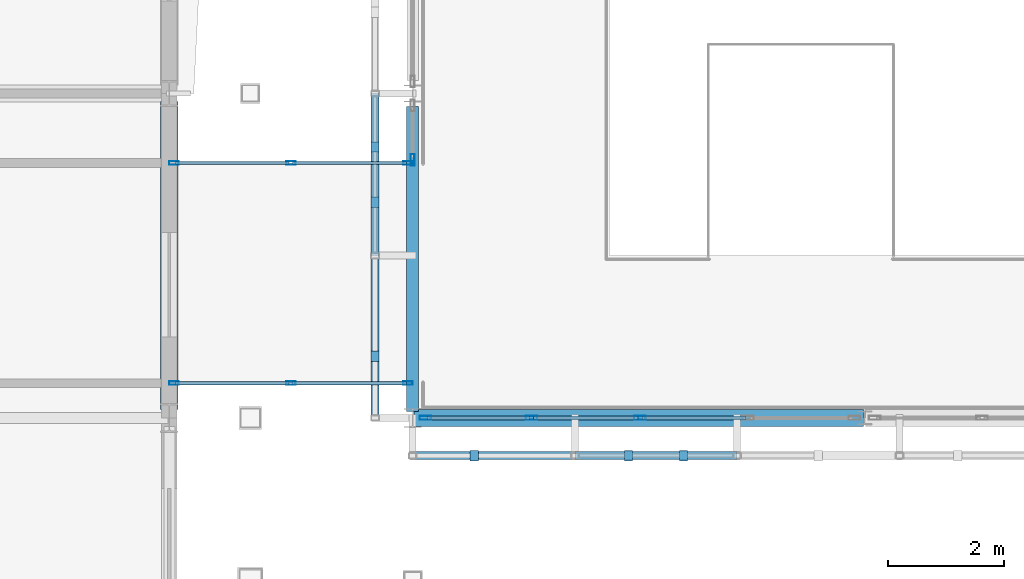
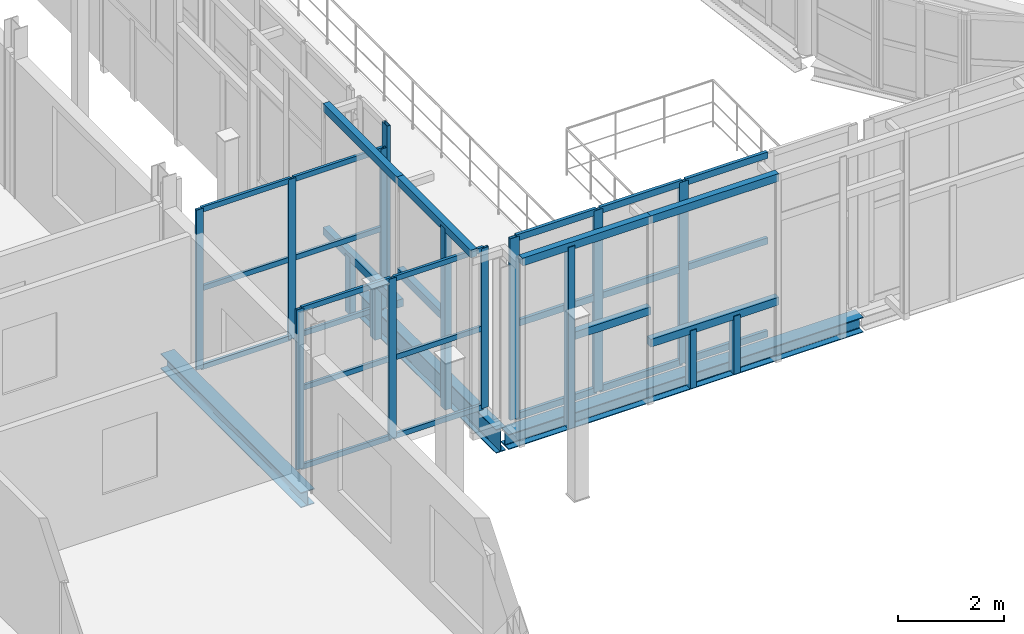
# One storey, part 20 of 78: 45 members, 3 beams, 4 elements without a shape of their own.
"""IFC4 building model written with IfcOpenShell, lengths in metres."""

import ifcopenshell
import ifcopenshell.guid

model = None  # the IFC model being written
_history = None  # IfcOwnerHistory: only IFC2X3 demands one
_inside = {}  # id of a spatial element -> (the spatial element, [elements in it])
_under = {}  # id of a project, library or spatial element -> (it, [spatial elements below it])
_declared = {}  # id of a project -> (the project, [libraries it declares])
_typed = {}  # id of a type object -> (the type object, [elements of that type])
_made_of = {}  # id of a material, layer set ... -> (it, [elements and type objects made of it])


def new_model(schema):
    """Start an empty IFC model of exactly this schema.

    Asked for "IFC4X3", IfcOpenShell would pick the latest addendum, in which some entities
    have other attributes; the version numbers below select the first issue.
    IFC2X3 requires an IfcOwnerHistory on every rooted entity: one is made here for all.
    """
    global model, _history
    if schema == "IFC4X3":
        model = ifcopenshell.file(schema_version=(4, 3, 0, 0))
    else:
        model = ifcopenshell.file(schema=schema)
    _inside.clear()
    _under.clear()
    _declared.clear()
    _typed.clear()
    _made_of.clear()
    _history = None
    if model.schema == "IFC2X3":
        org = make("IfcOrganization", Name="unknown")
        user = make(
            "IfcPersonAndOrganization",
            ThePerson=make("IfcPerson", FamilyName="unknown"),
            TheOrganization=org,
        )
        app = make(
            "IfcApplication",
            ApplicationDeveloper=org,
            Version="unknown",
            ApplicationFullName="unknown",
            ApplicationIdentifier="unknown",
        )
        _history = make(
            "IfcOwnerHistory",
            OwningUser=user,
            OwningApplication=app,
            ChangeAction="ADDED",
            CreationDate=0,
        )
    return model


def make(cls, **values):
    """One entity of the class cls with the attributes given. An attribute that is None is left unset."""
    return model.create_entity(
        cls, **{name: value for name, value in values.items() if value is not None}
    )


def rooted(cls, **values):
    """An entity with a GlobalId (a new one), such as an element, a storey or a relation."""
    return make(cls, GlobalId=ifcopenshell.guid.new(), OwnerHistory=_history, **values)


def si_unit(unit_type, name, prefix=None):
    """IfcSIUnit, for example si_unit("LENGTHUNIT", "METRE", prefix="MILLI")."""
    return make("IfcSIUnit", UnitType=unit_type, Prefix=prefix, Name=name)


def assignment(units):
    """IfcUnitAssignment: the units of a project."""
    return None if units is None else make("IfcUnitAssignment", Units=units)


def point(xyz):
    """IfcCartesianPoint."""
    return None if xyz is None else make("IfcCartesianPoint", Coordinates=xyz)


def direction(xyz):
    """IfcDirection."""
    return None if xyz is None else make("IfcDirection", DirectionRatios=xyz)


def frame(location, z_axis=None, x_axis=None):
    """IfcAxis2Placement3D, a coordinate frame: its origin and axes. An axis left out is left unset."""
    return make(
        "IfcAxis2Placement3D",
        Location=point(location),
        Axis=direction(z_axis),
        RefDirection=direction(x_axis),
    )


def frame_2d(location, x_axis=None):
    """IfcAxis2Placement2D, a coordinate frame in the plane: its origin and x axis."""
    return make(
        "IfcAxis2Placement2D", Location=point(location), RefDirection=direction(x_axis)
    )


def origin():
    """The frame at (0, 0, 0) with its axes left unset."""
    return frame((0.0, 0.0, 0.0))


def origin_2d():
    """The frame at (0, 0) in the plane with its x axis left unset."""
    return frame_2d((0.0, 0.0))


def place(relative_to, where):
    """IfcLocalPlacement: puts the frame where relative to a parent placement (None: the world)."""
    return make(
        "IfcLocalPlacement", PlacementRelTo=relative_to, RelativePlacement=where
    )


def context(
    kind, dimensions, precision=None, world=None, true_north=None, identifier=None
):
    """IfcGeometricRepresentationContext, for example the 3D "Model" context."""
    return make(
        "IfcGeometricRepresentationContext",
        ContextIdentifier=identifier,
        ContextType=kind,
        CoordinateSpaceDimension=dimensions,
        Precision=precision,
        WorldCoordinateSystem=world,
        TrueNorth=true_north,
    )


def subcontext(parent, identifier, kind, view, scale=None):
    """IfcGeometricRepresentationSubContext, for example "Body" below "Model"."""
    return make(
        "IfcGeometricRepresentationSubContext",
        ContextIdentifier=identifier,
        ContextType=kind,
        ParentContext=parent,
        TargetScale=scale,
        TargetView=view,
    )


def project(units=None, contexts=None):
    """IfcProject with its units and contexts."""
    return rooted(
        "IfcProject",
        Name="project",
        RepresentationContexts=contexts,
        UnitsInContext=assignment(units),
    )


def spatial(cls, under=None, at=None, **own):
    """A site, building, storey or space (cls), placed at a placement, below another one or the project."""
    s = rooted(cls, ObjectPlacement=at, **own)
    if under is not None:
        _under.setdefault(under.id(), (under, []))[1].append(s)
    return s


def profile(cls, at=None, kind="AREA", **sizes):
    """A parametric profile (cls). Its sizes go by their IFC names, for example OverallWidth=200.0."""
    return make(cls, ProfileType=kind, Position=at, **sizes)


def rectangle(**sizes):
    """IfcRectangleProfileDef."""
    return profile("IfcRectangleProfileDef", **sizes)


def hollow_rectangle(**sizes):
    """IfcRectangleHollowProfileDef."""
    return profile("IfcRectangleHollowProfileDef", **sizes)


def i_section(**sizes):
    """IfcIShapeProfileDef."""
    return profile("IfcIShapeProfileDef", **sizes)


def extrude(swept, where, along, depth):
    """IfcExtrudedAreaSolid: the profile swept, set in the frame where, extruded along a direction by depth."""
    return make(
        "IfcExtrudedAreaSolid",
        SweptArea=swept,
        Position=where,
        ExtrudedDirection=direction(along),
        Depth=depth,
    )


def shape(context_of_items, identifier, shape_type, items):
    """IfcShapeRepresentation: the items that make up one representation, for example the "Body"."""
    return make(
        "IfcShapeRepresentation",
        ContextOfItems=context_of_items,
        RepresentationIdentifier=identifier,
        RepresentationType=shape_type,
        Items=items,
    )


def material(Name=None, Category=None):
    """IfcMaterial."""
    return make("IfcMaterial", Name=Name, Category=Category)


def layer(
    of_material, thickness, ventilated=None, Name=None, Category=None, Priority=None
):
    """IfcMaterialLayer: one layer of a wall or slab, of a material (None: an air gap)."""
    return make(
        "IfcMaterialLayer",
        Material=of_material,
        LayerThickness=thickness,
        IsVentilated=ventilated,
        Name=Name,
        Category=Category,
        Priority=Priority,
    )


def layer_set(layers, Name=None):
    """IfcMaterialLayerSet."""
    return make("IfcMaterialLayerSet", MaterialLayers=layers, LayerSetName=Name)


def material_profile(
    of_material, cross_section, Name=None, Category=None, Priority=None
):
    """IfcMaterialProfile: a cross section and its material."""
    return make(
        "IfcMaterialProfile",
        Name=Name,
        Material=of_material,
        Profile=cross_section,
        Priority=Priority,
        Category=Category,
    )


def profile_set(profiles, Name=None, composite=None):
    """IfcMaterialProfileSet."""
    return make(
        "IfcMaterialProfileSet",
        Name=Name,
        MaterialProfiles=profiles,
        CompositeProfile=composite,
    )


def made_of(thing, what):
    """Note that an element or type object is made of a material, layer set ...; save() writes the relation."""
    if what is not None:
        _made_of.setdefault(what.id(), (what, []))[1].append(thing)
    return thing


def type_object(cls, material=None, **own):
    """A type object (cls), such as IfcWallType, which elements share."""
    return made_of(rooted(cls, **own), material)


def element(
    cls,
    number,
    at=None,
    inside=None,
    cuts=None,
    type_object=None,
    material=None,
    context=None,
    identifier="Body",
    shape_type=None,
    held_by="IfcProductDefinitionShape",
    body=None,
    shapes=None,
    **own,
):
    """One element of the class cls, such as IfcWall. Its Tag is "e" and its number.

    at: its placement. inside: the storey or other place that contains it. cuts: it is an
    opening in that element (IfcRelVoidsElement). A single representation is given by context,
    identifier, shape_type and body (its items); several are given by shapes. held_by: the class
    of the entity that holds the representations. save() writes the other relations.
    """
    e = rooted(cls, Tag="e%d" % number, ObjectPlacement=at, **own)
    if body is not None:
        shapes = [shape(context, identifier, shape_type, body)]
    if shapes is not None:
        e.Representation = make(held_by, Representations=shapes)
    if inside is not None:
        _inside.setdefault(inside.id(), (inside, []))[1].append(e)
    if cuts is not None:
        rooted(
            "IfcRelVoidsElement", RelatingBuildingElement=cuts, RelatedOpeningElement=e
        )
    if type_object is not None:
        _typed.setdefault(type_object.id(), (type_object, []))[1].append(e)
    return made_of(e, material)


def aggregate(whole, parts):
    """IfcRelAggregates: a whole, such as a stair, and the parts it consists of."""
    return rooted("IfcRelAggregates", RelatingObject=whole, RelatedObjects=parts)


def save(model, path):
    """Write the relations noted so far, then the file.

    IfcRelAggregates (storeys below a building ...), IfcRelContainedInSpatialStructure (elements
    in a storey), IfcRelDefinesByType, IfcRelAssociatesMaterial and IfcRelDeclares: one each for
    every whole, place, type object, material and project.
    """
    for whole, parts in _under.values():
        aggregate(whole, parts)
    for where, things in _inside.values():
        rooted(
            "IfcRelContainedInSpatialStructure",
            RelatedElements=things,
            RelatingStructure=where,
        )
    for kind, things in _typed.values():
        rooted("IfcRelDefinesByType", RelatedObjects=things, RelatingType=kind)
    for what, things in _made_of.values():
        rooted("IfcRelAssociatesMaterial", RelatedObjects=things, RelatingMaterial=what)
    for by, libraries in _declared.values():
        rooted("IfcRelDeclares", RelatingContext=by, RelatedDefinitions=libraries)
    model.write(path)


model = new_model("IFC4")

# Units and contexts
model_context = context("Model", 3, precision=1e-05, world=origin(), true_north=direction((0.0, 1.0)))
body_context = subcontext(model_context, "Body", "Model", "MODEL_VIEW")
ifc_project = project(units=[si_unit("LENGTHUNIT", "METRE"), si_unit("AREAUNIT", "SQUARE_METRE"), si_unit("VOLUMEUNIT", "CUBIC_METRE"), si_unit("PLANEANGLEUNIT", "RADIAN"), si_unit("MASSUNIT", "GRAM", prefix="KILO")], contexts=[model_context])

# Site, building, storey
site_placement = place(None, origin())
site = spatial("IfcSite", under=ifc_project, at=site_placement, CompositionType="ELEMENT")
building_placement = place(site_placement, origin())
building = spatial("IfcBuilding", under=site, at=building_placement, Name="Vinh Khe Railworks Police Headquarters", CompositionType="ELEMENT")
storey_placement = place(building_placement, frame((0.0, 0.0, 13.199951171875)))
storey = spatial("IfcBuildingStorey", under=building, at=storey_placement, Name="L03", CompositionType="ELEMENT", Elevation=13.199951171875)

# Members
ifc_material_1 = material(Name="Salvaged ironwood timber", Category="wood")
ifc_material_profile_1 = material_profile(ifc_material_1, rectangle(XDim=0.139892578125, YDim=0.179931640625, at=origin_2d()), Name="TIMBER 140x180")
ifc_profile_set_1 = profile_set([ifc_material_profile_1], Name="Salvaged ironwood timber")
member_type_1 = type_object("IfcMemberType", Name="MEM-QUILT-STILE", PredefinedType="CHORD", material=ifc_profile_set_1)
member_1_placement = place(storey_placement, frame((26.39990234375, 24.550048828125, 4.1201171875), z_axis=(1.0, 0.0, 0.0), x_axis=(0.0, 1.0, 0.0)))
element("IfcMember", 1, at=member_1_placement, inside=storey, type_object=member_type_1, Name="Salvaged Timber Quilt Transom S-L03-00-TOP", PredefinedType="CHORD", context=body_context, shape_type="SweptSolid", body=[
    extrude(rectangle(XDim=0.139892578125, YDim=0.179931640625, at=origin_2d()), origin(), (0.0, 0.0, 1.0), 2.800048828125),
])
member_2_placement = place(storey_placement, frame((27.464111328125, 24.550048828125, -0.079833984375), z_axis=(0.0, 0.0, 1.0), x_axis=(1.0, 0.0, 0.0)))
element("IfcMember", 2, at=member_2_placement, inside=storey, type_object=member_type_1, Name="Salvaged Timber Quilt Stile S-L03-00-V1", PredefinedType="POST", context=body_context, shape_type="SweptSolid", body=[
    extrude(rectangle(XDim=0.139892578125, YDim=0.179931640625, at=origin_2d()), origin(), (0.0, 0.0, 1.0), 4.199951171875),
])
member_3_placement = place(storey_placement, frame((27.464111328125, 24.550048828125, 2.01611328125), z_axis=(1.0, 0.0, 0.0), x_axis=(0.0, 1.0, 0.0)))
element("IfcMember", 3, at=member_3_placement, inside=storey, type_object=member_type_1, Name="Salvaged Timber Quilt Transom S-L03-00-M1", PredefinedType="CHORD", context=body_context, shape_type="SweptSolid", body=[
    extrude(rectangle(XDim=0.139892578125, YDim=0.179931640625, at=origin_2d()), origin(), (0.0, 0.0, 1.0), 1.73583984375),
])
for number, where, z_axis, x_axis, name in (
    (4, (29.199951171875, 24.550048828125, 4.1201171875), (1.0, 0.0, 0.0), (0.0, 1.0, 0.0), "Salvaged Timber Quilt Transom S-L03-01-TOP"),
    (5, (29.199951171875, 24.550048828125, 1.260009765625), (1.0, 0.0, 0.0), (0.0, 1.0, 0.0), "Salvaged Timber Quilt Transom S-L03-01-M1"),
):
    element("IfcMember", number, at=place(storey_placement, frame(where, z_axis=z_axis, x_axis=x_axis)), inside=storey, type_object=member_type_1, Name=name, PredefinedType="CHORD", context=body_context, shape_type="SweptSolid", body=[
        extrude(rectangle(XDim=0.139892578125, YDim=0.179931640625, at=origin_2d()), origin(), (0.0, 0.0, 1.0), 2.800048828125),
    ])
for number, where, z_axis, x_axis, name in (
    (6, (30.1240234375, 24.550048828125, -0.079833984375), (0.0, 0.0, 1.0), (1.0, 0.0, 0.0), "Salvaged Timber Quilt Stile S-L03-01-V1"),
    (7, (31.075927734375, 24.550048828125, -0.079833984375), (0.0, 0.0, 1.0), (1.0, 0.0, 0.0), "Salvaged Timber Quilt Stile S-L03-01-V2"),
):
    element("IfcMember", number, at=place(storey_placement, frame(where, z_axis=z_axis, x_axis=x_axis)), inside=storey, type_object=member_type_1, Name=name, PredefinedType="POST", context=body_context, shape_type="SweptSolid", body=[
        extrude(rectangle(XDim=0.139892578125, YDim=0.179931640625, at=origin_2d()), origin(), (0.0, 0.0, 1.0), 1.33984375),
    ])
member_4_placement = place(storey_placement, frame((25.75, 25.199951171875, 4.1201171875), z_axis=(0.0, 1.0, 0.0), x_axis=(-1.0, 0.0, 0.0)))
element("IfcMember", 8, at=member_4_placement, inside=storey, type_object=member_type_1, Name="Salvaged Timber Quilt Transom W-L03-00-TOP", PredefinedType="CHORD", context=body_context, shape_type="SweptSolid", body=[
    extrude(rectangle(XDim=0.139892578125, YDim=0.179931640625, at=origin_2d()), origin(), (0.0, 0.0, 1.0), 2.800048828125),
])
member_5_placement = place(storey_placement, frame((25.75, 26.263916015625, -0.079833984375), z_axis=(0.0, 0.0, 1.0), x_axis=(1.0, 0.0, 0.0)))
element("IfcMember", 9, at=member_5_placement, inside=storey, type_object=member_type_1, Name="Salvaged Timber Quilt Stile W-L03-00-V1", PredefinedType="POST", context=body_context, shape_type="SweptSolid", body=[
    extrude(rectangle(XDim=0.139892578125, YDim=0.179931640625, at=origin_2d()), origin(), (0.0, 0.0, 1.0), 4.199951171875),
])
member_6_placement = place(storey_placement, frame((25.75, 26.263916015625, 2.01611328125), z_axis=(0.0, 1.0, 0.0), x_axis=(-1.0, 0.0, 0.0)))
element("IfcMember", 10, at=member_6_placement, inside=storey, type_object=member_type_1, Name="Salvaged Timber Quilt Transom W-L03-00-M1", PredefinedType="CHORD", context=body_context, shape_type="SweptSolid", body=[
    extrude(rectangle(XDim=0.139892578125, YDim=0.179931640625, at=origin_2d()), origin(), (0.0, 0.0, 1.0), 1.736083984375),
])
for number, where, z_axis, x_axis, name in (
    (11, (25.75, 28.0, 4.1201171875), (0.0, 1.0, 0.0), (-1.0, 0.0, 0.0), "Salvaged Timber Quilt Transom W-L03-01-TOP"),
    (12, (25.75, 28.0, 1.260009765625), (0.0, 1.0, 0.0), (-1.0, 0.0, 0.0), "Salvaged Timber Quilt Transom W-L03-01-M1"),
):
    element("IfcMember", number, at=place(storey_placement, frame(where, z_axis=z_axis, x_axis=x_axis)), inside=storey, type_object=member_type_1, Name=name, PredefinedType="CHORD", context=body_context, shape_type="SweptSolid", body=[
        extrude(rectangle(XDim=0.139892578125, YDim=0.179931640625, at=origin_2d()), origin(), (0.0, 0.0, 1.0), 2.800048828125),
    ])
for number, where, z_axis, x_axis, name in (
    (13, (25.75, 28.924072265625, -0.079833984375), (0.0, 0.0, 1.0), (1.0, 0.0, 0.0), "Salvaged Timber Quilt Stile W-L03-01-V1"),
    (14, (25.75, 29.8759765625, -0.079833984375), (0.0, 0.0, 1.0), (1.0, 0.0, 0.0), "Salvaged Timber Quilt Stile W-L03-01-V2"),
):
    element("IfcMember", number, at=place(storey_placement, frame(where, z_axis=z_axis, x_axis=x_axis)), inside=storey, type_object=member_type_1, Name=name, PredefinedType="POST", context=body_context, shape_type="SweptSolid", body=[
        extrude(rectangle(XDim=0.139892578125, YDim=0.179931640625, at=origin_2d()), origin(), (0.0, 0.0, 1.0), 1.33984375),
    ])

# Curtain wall, members
ifc_material_2 = material(Name="Anodised aluminium and solar-control glass", Category="aluminium")
ifc_layer_1 = layer(ifc_material_2, 0.159912109375)
ifc_layer_set_1 = layer_set([ifc_layer_1], Name="Anodised aluminium and solar-control glass")
curtain_wall_type_1 = type_object("IfcCurtainWallType", Name="CW-SHOPFRONT", PredefinedType="USERDEFINED", material=ifc_layer_set_1)
curtain_wall_1_placement = place(storey_placement, origin())
curtain_wall_1 = element("IfcCurtainWall", 15, at=curtain_wall_1_placement, inside=storey, type_object=curtain_wall_type_1, Name="Atrium Stair Link Glazing L03-S", ObjectType="UNITISED GLAZING", PredefinedType="USERDEFINED")
ifc_material_3 = material(Name="Anodised aluminium 6063-T6", Category="aluminium")
ifc_material_profile_2 = material_profile(ifc_material_3, hollow_rectangle(XDim=0.06005859375, YDim=0.159912109375, WallThickness=0.00390625, at=origin_2d()), Name="CW-M 60x160x4")
ifc_profile_set_2 = profile_set([ifc_material_profile_2], Name="Anodised aluminium 6063-T6")
member_type_2 = type_object("IfcMemberType", Name="MULL-CWM-01", PredefinedType="MULLION", material=ifc_profile_set_2)
member_7_placement = place(storey_placement, frame((22.280029296875, 25.800048828125, 0.0), z_axis=(0.0, 0.0, 1.0), x_axis=(0.0, 1.0, 0.0)))
member_7 = element("IfcMember", 16, at=member_7_placement, type_object=member_type_2, Name="CW-03 mullion 1", PredefinedType="MULLION", context=body_context, shape_type="SweptSolid", body=[
    extrude(hollow_rectangle(XDim=0.06005859375, YDim=0.159912109375, WallThickness=0.00390625, at=origin_2d()), origin(), (0.0, 0.0, 1.0), 3.699951171875),
])
member_8_placement = place(storey_placement, frame((24.300048828125, 25.800048828125, 0.0), z_axis=(0.0, 0.0, 1.0), x_axis=(0.0, 1.0, 0.0)))
member_8 = element("IfcMember", 17, at=member_8_placement, type_object=member_type_2, Name="CW-03 mullion 2", PredefinedType="MULLION", context=body_context, shape_type="SweptSolid", body=[
    extrude(hollow_rectangle(XDim=0.06005859375, YDim=0.159912109375, WallThickness=0.00390625, at=origin_2d()), origin(), (0.0, 0.0, 1.0), 3.699951171875),
])
member_9_placement = place(storey_placement, frame((26.320068359375, 25.800048828125, 0.0), z_axis=(0.0, 0.0, 1.0), x_axis=(0.0, 1.0, 0.0)))
member_9 = element("IfcMember", 18, at=member_9_placement, type_object=member_type_2, Name="CW-03 mullion 3", PredefinedType="MULLION", context=body_context, shape_type="SweptSolid", body=[
    extrude(hollow_rectangle(XDim=0.06005859375, YDim=0.159912109375, WallThickness=0.00390625, at=origin_2d()), origin(), (0.0, 0.0, 1.0), 3.699951171875),
])

curtain_wall_2_placement = place(storey_placement, origin())
curtain_wall_2 = element("IfcCurtainWall", 19, at=curtain_wall_2_placement, inside=storey, type_object=curtain_wall_type_1, Name="Atrium Stair Link Glazing L03-N", ObjectType="UNITISED GLAZING", PredefinedType="USERDEFINED")
member_10_placement = place(storey_placement, frame((22.280029296875, 29.60009765625, 0.0), z_axis=(0.0, 0.0, 1.0), x_axis=(0.0, 1.0, 0.0)))
member_10 = element("IfcMember", 20, at=member_10_placement, type_object=member_type_2, Name="CW-03 mullion 1", PredefinedType="MULLION", context=body_context, shape_type="SweptSolid", body=[
    extrude(hollow_rectangle(XDim=0.06005859375, YDim=0.159912109375, WallThickness=0.00390625, at=origin_2d()), origin(), (0.0, 0.0, 1.0), 3.699951171875),
])
member_11_placement = place(storey_placement, frame((24.300048828125, 29.60009765625, 0.0), z_axis=(0.0, 0.0, 1.0), x_axis=(0.0, 1.0, 0.0)))
member_11 = element("IfcMember", 21, at=member_11_placement, type_object=member_type_2, Name="CW-03 mullion 2", PredefinedType="MULLION", context=body_context, shape_type="SweptSolid", body=[
    extrude(hollow_rectangle(XDim=0.06005859375, YDim=0.159912109375, WallThickness=0.00390625, at=origin_2d()), origin(), (0.0, 0.0, 1.0), 3.699951171875),
])
member_12_placement = place(storey_placement, frame((26.320068359375, 29.60009765625, 0.0), z_axis=(0.0, 0.0, 1.0), x_axis=(0.0, 1.0, 0.0)))
member_12 = element("IfcMember", 22, at=member_12_placement, type_object=member_type_2, Name="CW-03 mullion 3", PredefinedType="MULLION", context=body_context, shape_type="SweptSolid", body=[
    extrude(hollow_rectangle(XDim=0.06005859375, YDim=0.159912109375, WallThickness=0.00390625, at=origin_2d()), origin(), (0.0, 0.0, 1.0), 3.699951171875),
])

ifc_material_4 = material(Name="Anodised aluminium and low-iron glass", Category="aluminium")
ifc_layer_2 = layer(ifc_material_4, 0.179931640625)
ifc_layer_set_2 = layer_set([ifc_layer_2], Name="Anodised aluminium and low-iron glass")
curtain_wall_type_2 = type_object("IfcCurtainWallType", Name="CW-CUBE-UNIT", PredefinedType="USERDEFINED", material=ifc_layer_set_2)
curtain_wall_3_placement = place(storey_placement, origin())
curtain_wall_3 = element("IfcCurtainWall", 23, at=curtain_wall_3_placement, inside=storey, type_object=curtain_wall_type_2, Name="Entrance Hall Curtain Wall L03 S-1", ObjectType="UNITISED GLAZING", PredefinedType="USERDEFINED")
ifc_material_profile_3 = material_profile(ifc_material_3, hollow_rectangle(XDim=0.070068359375, YDim=0.199951171875, WallThickness=0.0048828125, at=origin_2d()), Name="CW-M 70x200x5")
ifc_profile_set_3 = profile_set([ifc_material_profile_3], Name="Anodised aluminium 6063-T6")
member_type_3 = type_object("IfcMemberType", Name="MULL-CWM-03", PredefinedType="MULLION", material=ifc_profile_set_3)
member_13_placement = place(storey_placement, frame((26.6201171875, 25.199951171875, 0.0), z_axis=(0.0, 0.0, 1.0), x_axis=(0.0, 1.0, 0.0)))
member_13 = element("IfcMember", 24, at=member_13_placement, type_object=member_type_3, Name="CW-01 mullion 1", PredefinedType="MULLION", context=body_context, shape_type="SweptSolid", body=[
    extrude(hollow_rectangle(XDim=0.070068359375, YDim=0.199951171875, WallThickness=0.0048828125, at=origin_2d()), origin(), (0.0, 0.0, 1.0), 4.199951171875),
])
member_14_placement = place(storey_placement, frame((28.453857421875, 25.199951171875, 0.0), z_axis=(0.0, 0.0, 1.0), x_axis=(0.0, 1.0, 0.0)))
member_14 = element("IfcMember", 25, at=member_14_placement, type_object=member_type_3, Name="CW-01 mullion 2", PredefinedType="MULLION", context=body_context, shape_type="SweptSolid", body=[
    extrude(hollow_rectangle(XDim=0.070068359375, YDim=0.199951171875, WallThickness=0.0048828125, at=origin_2d()), origin(), (0.0, 0.0, 1.0), 4.199951171875),
])
member_15_placement = place(storey_placement, frame((30.322509765625, 25.199951171875, 0.0), z_axis=(0.0, 0.0, 1.0), x_axis=(0.0, 1.0, 0.0)))
member_15 = element("IfcMember", 26, at=member_15_placement, type_object=member_type_3, Name="CW-01 mullion 3", PredefinedType="MULLION", context=body_context, shape_type="SweptSolid", body=[
    extrude(hollow_rectangle(XDim=0.070068359375, YDim=0.199951171875, WallThickness=0.0048828125, at=origin_2d()), origin(), (0.0, 0.0, 1.0), 4.199951171875),
])

# Curtain wall, member
curtain_wall_4_placement = place(storey_placement, origin())
curtain_wall_4 = element("IfcCurtainWall", 27, at=curtain_wall_4_placement, inside=storey, type_object=curtain_wall_type_2, Name="Entrance Hall Curtain Wall L03 W-1N", ObjectType="UNITISED GLAZING", PredefinedType="USERDEFINED")
member_16_placement = place(storey_placement, frame((26.39990234375, 29.655029296875, 0.0), z_axis=(0.0, 0.0, 1.0), x_axis=(-1.0, 0.0, 0.0)))
member_16 = element("IfcMember", 28, at=member_16_placement, type_object=member_type_3, Name="CW-01 mullion 1", PredefinedType="MULLION", context=body_context, shape_type="SweptSolid", body=[
    extrude(hollow_rectangle(XDim=0.070068359375, YDim=0.199951171875, WallThickness=0.0048828125, at=origin_2d()), origin(), (0.0, 0.0, 1.0), 4.199951171875),
])
aggregate(curtain_wall_4, [member_16])

# Beams
ifc_material_5 = material(Name="Steel S355JR", Category="steel")
ifc_material_profile_4 = material_profile(ifc_material_5, i_section(OverallWidth=0.300048828125, OverallDepth=0.35009765625, WebThickness=0.010009765625, FlangeThickness=0.017578125, FilletRadius=0.027099609375, at=origin_2d()), Name="HEA 360")
ifc_profile_set_4 = profile_set([ifc_material_profile_4], Name="Steel S355JR")
beam_type_1 = type_object("IfcBeamType", Name="Steel Girder HEA 360", PredefinedType="BEAM", material=ifc_profile_set_4)
beam_1_placement = place(storey_placement, frame((26.419921875, 25.199951171875, -0.39501953125), z_axis=(1.0, 0.0, 0.0), x_axis=(0.0, 1.0, 0.0)))
element("IfcBeam", 29, at=beam_1_placement, inside=storey, type_object=beam_type_1, Name="Girder BM-L03-EW-SB-15-1039", PredefinedType="BEAM", context=body_context, shape_type="SweptSolid", body=[
    extrude(i_section(OverallWidth=0.300048828125, OverallDepth=0.35009765625, WebThickness=0.010009765625, FlangeThickness=0.017578125, FilletRadius=0.027099609375, at=origin_2d()), origin(), (0.0, 0.0, 1.0), 7.760009765625),
])
beam_2_placement = place(storey_placement, frame((22.199951171875, 25.35009765625, -0.39501953125), z_axis=(0.0, 1.0, 0.0), x_axis=(-1.0, 0.0, 0.0)))
element("IfcBeam", 30, at=beam_2_placement, inside=storey, type_object=beam_type_1, Name="Girder BM-L03-NS-SB-15-1195", PredefinedType="BEAM", context=body_context, shape_type="SweptSolid", body=[
    extrude(i_section(OverallWidth=0.300048828125, OverallDepth=0.35009765625, WebThickness=0.010009765625, FlangeThickness=0.017578125, FilletRadius=0.027099609375, at=origin_2d()), origin(), (0.0, 0.0, 1.0), 5.31494140625),
])
ifc_material_profile_5 = material_profile(ifc_material_5, i_section(OverallWidth=0.2099609375, OverallDepth=0.550048828125, WebThickness=0.010986328125, FlangeThickness=0.01708984375, FilletRadius=0.02392578125, at=origin_2d()), Name="IPE 550")
ifc_profile_set_5 = profile_set([ifc_material_profile_5], Name="Steel S355JR")
beam_type_2 = type_object("IfcBeamType", Name="Steel Girder IPE 550", PredefinedType="BEAM", material=ifc_profile_set_5)
beam_3_placement = place(storey_placement, frame((26.39990234375, 25.31005859375, -0.494873046875), z_axis=(0.0, 1.0, 0.0), x_axis=(-1.0, 0.0, 0.0)))
element("IfcBeam", 31, at=beam_3_placement, inside=storey, type_object=beam_type_2, Name="Girder BM-L03-NS-SB-18-1210", PredefinedType="BEAM", context=body_context, shape_type="SweptSolid", body=[
    extrude(i_section(OverallWidth=0.2099609375, OverallDepth=0.550048828125, WebThickness=0.010986328125, FlangeThickness=0.01708984375, FilletRadius=0.02392578125, at=origin_2d()), origin(), (0.0, 0.0, 1.0), 5.264892578125),
])

# Member
ifc_material_profile_6 = material_profile(ifc_material_3, hollow_rectangle(XDim=0.06005859375, YDim=0.1201171875, WallThickness=0.00390625, at=origin_2d()), Name="CW-T 60x120x4")
ifc_profile_set_6 = profile_set([ifc_material_profile_6], Name="Anodised aluminium 6063-T6")
member_type_4 = type_object("IfcMemberType", Name="TRAN-CWT-01", PredefinedType="USERDEFINED", material=ifc_profile_set_6)
member_17_placement = place(storey_placement, frame((22.31005859375, 25.800048828125, 0.030029296875), z_axis=(1.0, 0.0, 0.0), x_axis=(0.0, 1.0, 0.0)))
member_17 = element("IfcMember", 32, at=member_17_placement, type_object=member_type_4, Name="CW-03 transom 1.1", ObjectType="TRANSOM", PredefinedType="USERDEFINED", context=body_context, shape_type="SweptSolid", body=[
    extrude(hollow_rectangle(XDim=0.06005859375, YDim=0.1201171875, WallThickness=0.00390625, at=origin_2d()), origin(), (0.0, 0.0, 1.0), 1.9599609375),
])

member_18_placement = place(storey_placement, frame((22.31005859375, 25.800048828125, 1.85009765625), z_axis=(1.0, 0.0, 0.0), x_axis=(0.0, 1.0, 0.0)))
member_18 = element("IfcMember", 33, at=member_18_placement, type_object=member_type_4, Name="CW-03 transom 1.2", ObjectType="TRANSOM", PredefinedType="USERDEFINED", context=body_context, shape_type="SweptSolid", body=[
    extrude(hollow_rectangle(XDim=0.06005859375, YDim=0.1201171875, WallThickness=0.00390625, at=origin_2d()), origin(), (0.0, 0.0, 1.0), 1.9599609375),
])

member_19_placement = place(storey_placement, frame((22.31005859375, 25.800048828125, 3.670166015625), z_axis=(1.0, 0.0, 0.0), x_axis=(0.0, 1.0, 0.0)))
member_19 = element("IfcMember", 34, at=member_19_placement, type_object=member_type_4, Name="CW-03 transom 1.3", ObjectType="TRANSOM", PredefinedType="USERDEFINED", context=body_context, shape_type="SweptSolid", body=[
    extrude(hollow_rectangle(XDim=0.06005859375, YDim=0.1201171875, WallThickness=0.00390625, at=origin_2d()), origin(), (0.0, 0.0, 1.0), 1.9599609375),
])

member_20_placement = place(storey_placement, frame((24.330078125, 25.800048828125, 0.030029296875), z_axis=(1.0, 0.0, 0.0), x_axis=(0.0, 1.0, 0.0)))
member_20 = element("IfcMember", 35, at=member_20_placement, type_object=member_type_4, Name="CW-03 transom 2.1", ObjectType="TRANSOM", PredefinedType="USERDEFINED", context=body_context, shape_type="SweptSolid", body=[
    extrude(hollow_rectangle(XDim=0.06005859375, YDim=0.1201171875, WallThickness=0.00390625, at=origin_2d()), origin(), (0.0, 0.0, 1.0), 1.9599609375),
])

member_21_placement = place(storey_placement, frame((24.330078125, 25.800048828125, 1.85009765625), z_axis=(1.0, 0.0, 0.0), x_axis=(0.0, 1.0, 0.0)))
member_21 = element("IfcMember", 36, at=member_21_placement, type_object=member_type_4, Name="CW-03 transom 2.2", ObjectType="TRANSOM", PredefinedType="USERDEFINED", context=body_context, shape_type="SweptSolid", body=[
    extrude(hollow_rectangle(XDim=0.06005859375, YDim=0.1201171875, WallThickness=0.00390625, at=origin_2d()), origin(), (0.0, 0.0, 1.0), 1.9599609375),
])

member_22_placement = place(storey_placement, frame((24.330078125, 25.800048828125, 3.670166015625), z_axis=(1.0, 0.0, 0.0), x_axis=(0.0, 1.0, 0.0)))
member_22 = element("IfcMember", 37, at=member_22_placement, type_object=member_type_4, Name="CW-03 transom 2.3", ObjectType="TRANSOM", PredefinedType="USERDEFINED", context=body_context, shape_type="SweptSolid", body=[
    extrude(hollow_rectangle(XDim=0.06005859375, YDim=0.1201171875, WallThickness=0.00390625, at=origin_2d()), origin(), (0.0, 0.0, 1.0), 1.9599609375),
])

aggregate(curtain_wall_1, [member_7, member_8, member_9, member_17, member_18, member_19, member_20, member_21, member_22])

member_23_placement = place(storey_placement, frame((22.31005859375, 29.60009765625, 0.030029296875), z_axis=(1.0, 0.0, 0.0), x_axis=(0.0, 1.0, 0.0)))
member_23 = element("IfcMember", 38, at=member_23_placement, type_object=member_type_4, Name="CW-03 transom 1.1", ObjectType="TRANSOM", PredefinedType="USERDEFINED", context=body_context, shape_type="SweptSolid", body=[
    extrude(hollow_rectangle(XDim=0.06005859375, YDim=0.1201171875, WallThickness=0.00390625, at=origin_2d()), origin(), (0.0, 0.0, 1.0), 1.9599609375),
])

member_24_placement = place(storey_placement, frame((22.31005859375, 29.60009765625, 1.85009765625), z_axis=(1.0, 0.0, 0.0), x_axis=(0.0, 1.0, 0.0)))
member_24 = element("IfcMember", 39, at=member_24_placement, type_object=member_type_4, Name="CW-03 transom 1.2", ObjectType="TRANSOM", PredefinedType="USERDEFINED", context=body_context, shape_type="SweptSolid", body=[
    extrude(hollow_rectangle(XDim=0.06005859375, YDim=0.1201171875, WallThickness=0.00390625, at=origin_2d()), origin(), (0.0, 0.0, 1.0), 1.9599609375),
])

member_25_placement = place(storey_placement, frame((22.31005859375, 29.60009765625, 3.670166015625), z_axis=(1.0, 0.0, 0.0), x_axis=(0.0, 1.0, 0.0)))
member_25 = element("IfcMember", 40, at=member_25_placement, type_object=member_type_4, Name="CW-03 transom 1.3", ObjectType="TRANSOM", PredefinedType="USERDEFINED", context=body_context, shape_type="SweptSolid", body=[
    extrude(hollow_rectangle(XDim=0.06005859375, YDim=0.1201171875, WallThickness=0.00390625, at=origin_2d()), origin(), (0.0, 0.0, 1.0), 1.9599609375),
])

member_26_placement = place(storey_placement, frame((24.330078125, 29.60009765625, 0.030029296875), z_axis=(1.0, 0.0, 0.0), x_axis=(0.0, 1.0, 0.0)))
member_26 = element("IfcMember", 41, at=member_26_placement, type_object=member_type_4, Name="CW-03 transom 2.1", ObjectType="TRANSOM", PredefinedType="USERDEFINED", context=body_context, shape_type="SweptSolid", body=[
    extrude(hollow_rectangle(XDim=0.06005859375, YDim=0.1201171875, WallThickness=0.00390625, at=origin_2d()), origin(), (0.0, 0.0, 1.0), 1.9599609375),
])

member_27_placement = place(storey_placement, frame((24.330078125, 29.60009765625, 1.85009765625), z_axis=(1.0, 0.0, 0.0), x_axis=(0.0, 1.0, 0.0)))
member_27 = element("IfcMember", 42, at=member_27_placement, type_object=member_type_4, Name="CW-03 transom 2.2", ObjectType="TRANSOM", PredefinedType="USERDEFINED", context=body_context, shape_type="SweptSolid", body=[
    extrude(hollow_rectangle(XDim=0.06005859375, YDim=0.1201171875, WallThickness=0.00390625, at=origin_2d()), origin(), (0.0, 0.0, 1.0), 1.9599609375),
])

member_28_placement = place(storey_placement, frame((24.330078125, 29.60009765625, 3.670166015625), z_axis=(1.0, 0.0, 0.0), x_axis=(0.0, 1.0, 0.0)))
member_28 = element("IfcMember", 43, at=member_28_placement, type_object=member_type_4, Name="CW-03 transom 2.3", ObjectType="TRANSOM", PredefinedType="USERDEFINED", context=body_context, shape_type="SweptSolid", body=[
    extrude(hollow_rectangle(XDim=0.06005859375, YDim=0.1201171875, WallThickness=0.00390625, at=origin_2d()), origin(), (0.0, 0.0, 1.0), 1.9599609375),
])

aggregate(curtain_wall_2, [member_10, member_11, member_12, member_23, member_24, member_25, member_26, member_27, member_28])

ifc_material_profile_7 = material_profile(ifc_material_3, hollow_rectangle(XDim=0.070068359375, YDim=0.14990234375, WallThickness=0.0048828125, at=origin_2d()), Name="CW-T 70x150x5")
ifc_profile_set_7 = profile_set([ifc_material_profile_7], Name="Anodised aluminium 6063-T6")
member_type_5 = type_object("IfcMemberType", Name="TRAN-CWT-03", PredefinedType="USERDEFINED", material=ifc_profile_set_7)
member_29_placement = place(storey_placement, frame((26.655029296875, 25.199951171875, 0.03515625), z_axis=(1.0, 0.0, 0.0), x_axis=(0.0, 1.0, 0.0)))
member_29 = element("IfcMember", 44, at=member_29_placement, type_object=member_type_5, Name="CW-01 transom 1.1", ObjectType="TRANSOM", PredefinedType="USERDEFINED", context=body_context, shape_type="SweptSolid", body=[
    extrude(hollow_rectangle(XDim=0.070068359375, YDim=0.14990234375, WallThickness=0.0048828125, at=origin_2d()), origin(), (0.0, 0.0, 1.0), 1.763671875),
])

member_30_placement = place(storey_placement, frame((26.655029296875, 25.199951171875, 2.18408203125), z_axis=(1.0, 0.0, 0.0), x_axis=(0.0, 1.0, 0.0)))
member_30 = element("IfcMember", 45, at=member_30_placement, type_object=member_type_5, Name="CW-01 transom 1.2", ObjectType="TRANSOM", PredefinedType="USERDEFINED", context=body_context, shape_type="SweptSolid", body=[
    extrude(hollow_rectangle(XDim=0.070068359375, YDim=0.14990234375, WallThickness=0.0048828125, at=origin_2d()), origin(), (0.0, 0.0, 1.0), 1.763671875),
])

member_31_placement = place(storey_placement, frame((26.655029296875, 25.199951171875, 4.1650390625), z_axis=(1.0, 0.0, 0.0), x_axis=(0.0, 1.0, 0.0)))
member_31 = element("IfcMember", 46, at=member_31_placement, type_object=member_type_5, Name="CW-01 transom 1.3", ObjectType="TRANSOM", PredefinedType="USERDEFINED", context=body_context, shape_type="SweptSolid", body=[
    extrude(hollow_rectangle(XDim=0.070068359375, YDim=0.14990234375, WallThickness=0.0048828125, at=origin_2d()), origin(), (0.0, 0.0, 1.0), 1.763671875),
])

member_32_placement = place(storey_placement, frame((28.48876953125, 25.199951171875, 0.03515625), z_axis=(1.0, 0.0, 0.0), x_axis=(0.0, 1.0, 0.0)))
member_32 = element("IfcMember", 47, at=member_32_placement, type_object=member_type_5, Name="CW-01 transom 2.1", ObjectType="TRANSOM", PredefinedType="USERDEFINED", context=body_context, shape_type="SweptSolid", body=[
    extrude(hollow_rectangle(XDim=0.070068359375, YDim=0.14990234375, WallThickness=0.0048828125, at=origin_2d()), origin(), (0.0, 0.0, 1.0), 1.798828125),
])

member_33_placement = place(storey_placement, frame((28.48876953125, 25.199951171875, 2.18408203125), z_axis=(1.0, 0.0, 0.0), x_axis=(0.0, 1.0, 0.0)))
member_33 = element("IfcMember", 48, at=member_33_placement, type_object=member_type_5, Name="CW-01 transom 2.2", ObjectType="TRANSOM", PredefinedType="USERDEFINED", context=body_context, shape_type="SweptSolid", body=[
    extrude(hollow_rectangle(XDim=0.070068359375, YDim=0.14990234375, WallThickness=0.0048828125, at=origin_2d()), origin(), (0.0, 0.0, 1.0), 1.798828125),
])

member_34_placement = place(storey_placement, frame((28.48876953125, 25.199951171875, 4.1650390625), z_axis=(1.0, 0.0, 0.0), x_axis=(0.0, 1.0, 0.0)))
member_34 = element("IfcMember", 49, at=member_34_placement, type_object=member_type_5, Name="CW-01 transom 2.3", ObjectType="TRANSOM", PredefinedType="USERDEFINED", context=body_context, shape_type="SweptSolid", body=[
    extrude(hollow_rectangle(XDim=0.070068359375, YDim=0.14990234375, WallThickness=0.0048828125, at=origin_2d()), origin(), (0.0, 0.0, 1.0), 1.798828125),
])

member_35_placement = place(storey_placement, frame((30.357421875, 25.199951171875, 0.03515625), z_axis=(1.0, 0.0, 0.0), x_axis=(0.0, 1.0, 0.0)))
member_35 = element("IfcMember", 50, at=member_35_placement, type_object=member_type_5, Name="CW-01 transom 3.1", ObjectType="TRANSOM", PredefinedType="USERDEFINED", context=body_context, shape_type="SweptSolid", body=[
    extrude(hollow_rectangle(XDim=0.070068359375, YDim=0.14990234375, WallThickness=0.0048828125, at=origin_2d()), origin(), (0.0, 0.0, 1.0), 1.798828125),
])

member_36_placement = place(storey_placement, frame((30.357421875, 25.199951171875, 2.18408203125), z_axis=(1.0, 0.0, 0.0), x_axis=(0.0, 1.0, 0.0)))
member_36 = element("IfcMember", 51, at=member_36_placement, type_object=member_type_5, Name="CW-01 transom 3.2", ObjectType="TRANSOM", PredefinedType="USERDEFINED", context=body_context, shape_type="SweptSolid", body=[
    extrude(hollow_rectangle(XDim=0.070068359375, YDim=0.14990234375, WallThickness=0.0048828125, at=origin_2d()), origin(), (0.0, 0.0, 1.0), 1.798828125),
])

member_37_placement = place(storey_placement, frame((30.357421875, 25.199951171875, 4.1650390625), z_axis=(1.0, 0.0, 0.0), x_axis=(0.0, 1.0, 0.0)))
member_37 = element("IfcMember", 52, at=member_37_placement, type_object=member_type_5, Name="CW-01 transom 3.3", ObjectType="TRANSOM", PredefinedType="USERDEFINED", context=body_context, shape_type="SweptSolid", body=[
    extrude(hollow_rectangle(XDim=0.070068359375, YDim=0.14990234375, WallThickness=0.0048828125, at=origin_2d()), origin(), (0.0, 0.0, 1.0), 1.798828125),
])

aggregate(curtain_wall_3, [member_13, member_14, member_15, member_29, member_30, member_31, member_32, member_33, member_34, member_35, member_36, member_37])

save(model, "model.ifc")
